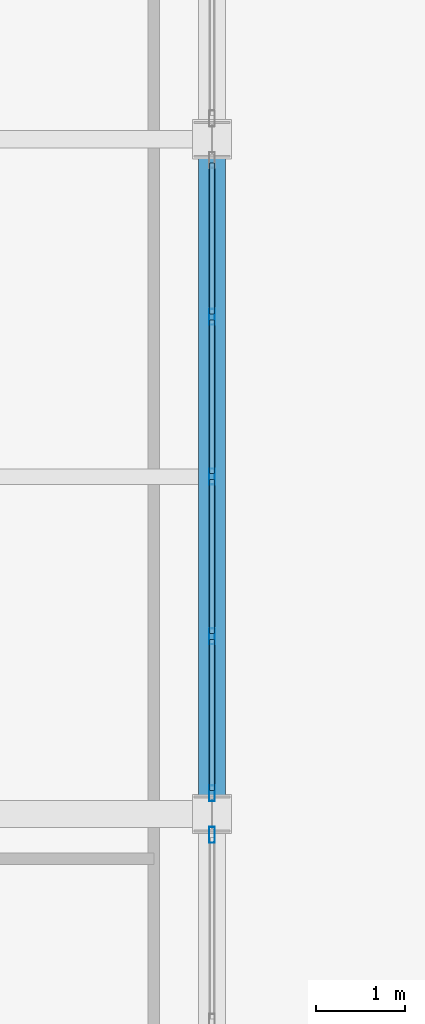
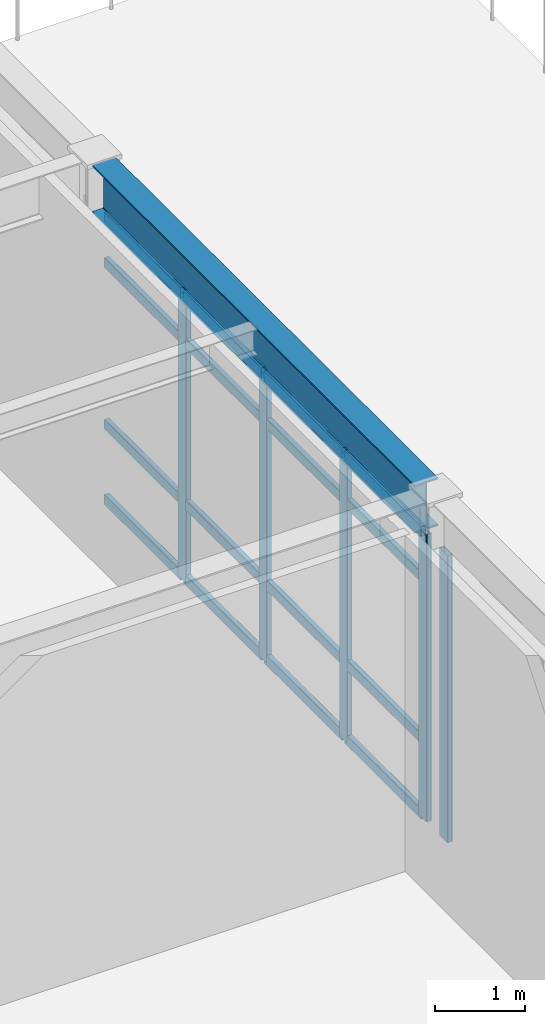
# One storey, part 40 of 93: 21 members, 1 beam, 2 elements without a shape of their own.
"""IFC4 building model written with IfcOpenShell, lengths in metres."""

from ifc_helpers import new_model, si_unit, direction, frame, origin, origin_2d, place, context, subcontext, project, spatial, hollow_rectangle, i_section, extrude, material, layer, layer_set, material_profile, profile_set, type_object, element, aggregate, save


model = new_model("IFC4")

# Units and contexts
model_context = context("Model", 3, precision=1e-05, world=origin(), true_north=direction((0.0, 1.0)))
body_context = subcontext(model_context, "Body", "Model", "MODEL_VIEW")
ifc_project = project(units=[si_unit("LENGTHUNIT", "METRE"), si_unit("AREAUNIT", "SQUARE_METRE"), si_unit("VOLUMEUNIT", "CUBIC_METRE"), si_unit("PLANEANGLEUNIT", "RADIAN"), si_unit("MASSUNIT", "GRAM", prefix="KILO")], contexts=[model_context])

# Site, building, storey
site_placement = place(None, origin())
site = spatial("IfcSite", under=ifc_project, at=site_placement, CompositionType="ELEMENT")
building_placement = place(site_placement, origin())
building = spatial("IfcBuilding", under=site, at=building_placement, Name="Kazehara Bluff Congress Hotel", CompositionType="ELEMENT")
storey_placement = place(building_placement, frame((0.0, 0.0, 15.0)))
storey = spatial("IfcBuildingStorey", under=building, at=storey_placement, Name="L03", CompositionType="ELEMENT", Elevation=15.0)

# Curtain wall, member
ifc_material_1 = material(Name="Anodised aluminium", Category="aluminium")
ifc_layer_1 = layer(ifc_material_1, 0.159912109375)
ifc_layer_set_1 = layer_set([ifc_layer_1], Name="Anodised aluminium")
curtain_wall_type_1 = type_object("IfcCurtainWallType", Name="TP-CW-61", PredefinedType="NOTDEFINED", material=ifc_layer_set_1)
curtain_wall_1_placement = place(storey_placement, origin())
curtain_wall_1 = element("IfcCurtainWall", 1, at=curtain_wall_1_placement, inside=storey, type_object=curtain_wall_type_1, Name="L03 curtain wall CW-61 CW-V4-L03-X10125-3220", PredefinedType="NOTDEFINED")
ifc_material_2 = material(Name="Anodised aluminium", Category="aluminium")
ifc_material_profile_1 = material_profile(ifc_material_2, hollow_rectangle(XDim=0.06494140625, YDim=0.179931640625, WallThickness=0.00390625, InnerFilletRadius=0.00390625, OuterFilletRadius=0.008056640625, at=origin_2d()))
ifc_profile_set_1 = profile_set([ifc_material_profile_1], Name="Anodised aluminium")
member_type_1 = type_object("IfcMemberType", Name="TP-CWM-02", PredefinedType="MULLION", material=ifc_profile_set_1)
member_1_placement = place(storey_placement, frame((101.25, 40.66748046875, 0.0), z_axis=(0.0, 0.0, 1.0), x_axis=(-1.0, 0.0, 0.0)))
member_1 = element("IfcMember", 2, at=member_1_placement, type_object=member_type_1, Name="CW-61 mullion 5", PredefinedType="MULLION", context=body_context, shape_type="SweptSolid", body=[
    extrude(hollow_rectangle(XDim=0.06494140625, YDim=0.179931640625, WallThickness=0.00390625, InnerFilletRadius=0.00390625, OuterFilletRadius=0.008056640625, at=origin_2d()), origin(), (0.0, 0.0, 1.0), 3.885009765625),
])
aggregate(curtain_wall_1, [member_1])

# Curtain wall, members
ifc_material_3 = material(Name="Anodised aluminium", Category="aluminium")
ifc_layer_2 = layer(ifc_material_3, 0.159912109375)
ifc_layer_set_2 = layer_set([ifc_layer_2], Name="Anodised aluminium")
curtain_wall_type_2 = type_object("IfcCurtainWallType", Name="TP-CW-62", PredefinedType="NOTDEFINED", material=ifc_layer_set_2)
curtain_wall_2_placement = place(storey_placement, origin())
curtain_wall_2 = element("IfcCurtainWall", 3, at=curtain_wall_2_placement, inside=storey, type_object=curtain_wall_type_2, Name="L03 curtain wall CW-62 CW-V4-L03-X10125-4110", PredefinedType="NOTDEFINED")
member_2_placement = place(storey_placement, frame((101.25, 41.132568359375, 0.0), z_axis=(0.0, 0.0, 1.0), x_axis=(-1.0, 0.0, 0.0)))
member_2 = element("IfcMember", 4, at=member_2_placement, type_object=member_type_1, Name="CW-62 mullion 1", PredefinedType="MULLION", context=body_context, shape_type="SweptSolid", body=[
    extrude(hollow_rectangle(XDim=0.06494140625, YDim=0.179931640625, WallThickness=0.00390625, InnerFilletRadius=0.00390625, OuterFilletRadius=0.008056640625, at=origin_2d()), origin(), (0.0, 0.0, 1.0), 3.885009765625),
])
member_3_placement = place(storey_placement, frame((101.25, 42.887451171875, 0.0), z_axis=(0.0, 0.0, 1.0), x_axis=(-1.0, 0.0, 0.0)))
member_3 = element("IfcMember", 5, at=member_3_placement, type_object=member_type_1, Name="CW-62 mullion 2", PredefinedType="MULLION", context=body_context, shape_type="SweptSolid", body=[
    extrude(hollow_rectangle(XDim=0.06494140625, YDim=0.179931640625, WallThickness=0.00390625, InnerFilletRadius=0.00390625, OuterFilletRadius=0.008056640625, at=origin_2d()), origin(), (0.0, 0.0, 1.0), 3.885009765625),
])
member_4_placement = place(storey_placement, frame((101.25, 44.675048828125, 0.0), z_axis=(0.0, 0.0, 1.0), x_axis=(-1.0, 0.0, 0.0)))
member_4 = element("IfcMember", 6, at=member_4_placement, type_object=member_type_1, Name="CW-62 mullion 3", PredefinedType="MULLION", context=body_context, shape_type="SweptSolid", body=[
    extrude(hollow_rectangle(XDim=0.06494140625, YDim=0.179931640625, WallThickness=0.00390625, InnerFilletRadius=0.00390625, OuterFilletRadius=0.008056640625, at=origin_2d()), origin(), (0.0, 0.0, 1.0), 3.885009765625),
])
member_5_placement = place(storey_placement, frame((101.25, 46.46240234375, 0.0), z_axis=(0.0, 0.0, 1.0), x_axis=(-1.0, 0.0, 0.0)))
member_5 = element("IfcMember", 7, at=member_5_placement, type_object=member_type_1, Name="CW-62 mullion 4", PredefinedType="MULLION", context=body_context, shape_type="SweptSolid", body=[
    extrude(hollow_rectangle(XDim=0.06494140625, YDim=0.179931640625, WallThickness=0.00390625, InnerFilletRadius=0.00390625, OuterFilletRadius=0.008056640625, at=origin_2d()), origin(), (0.0, 0.0, 1.0), 3.885009765625),
])
ifc_material_4 = material(Name="Anodised aluminium", Category="aluminium")
ifc_material_profile_2 = material_profile(ifc_material_4, hollow_rectangle(XDim=0.06494140625, YDim=0.139892578125, WallThickness=0.00390625, InnerFilletRadius=0.00390625, OuterFilletRadius=0.008056640625, at=origin_2d()))
ifc_profile_set_2 = profile_set([ifc_material_profile_2], Name="Anodised aluminium")
member_type_2 = type_object("IfcMemberType", Name="TP-CWT-02", PredefinedType="USERDEFINED", material=ifc_profile_set_2)
member_6_placement = place(storey_placement, frame((101.25, 41.1650390625, 0.032470703125), z_axis=(0.0, 1.0, 0.0), x_axis=(-1.0, 0.0, 0.0)))
member_6 = element("IfcMember", 8, at=member_6_placement, type_object=member_type_2, Name="CW-62 transom 1.1", ObjectType="TRANSOM", PredefinedType="USERDEFINED", context=body_context, shape_type="SweptSolid", body=[
    extrude(hollow_rectangle(XDim=0.06494140625, YDim=0.139892578125, WallThickness=0.00390625, InnerFilletRadius=0.00390625, OuterFilletRadius=0.008056640625, at=origin_2d()), origin(), (0.0, 0.0, 1.0), 1.68994140625),
])
member_7_placement = place(storey_placement, frame((101.25, 41.1650390625, 1.050048828125), z_axis=(0.0, 1.0, 0.0), x_axis=(-1.0, 0.0, 0.0)))
member_7 = element("IfcMember", 9, at=member_7_placement, type_object=member_type_2, Name="CW-62 transom 1.2", ObjectType="TRANSOM", PredefinedType="USERDEFINED", context=body_context, shape_type="SweptSolid", body=[
    extrude(hollow_rectangle(XDim=0.06494140625, YDim=0.139892578125, WallThickness=0.00390625, InnerFilletRadius=0.00390625, OuterFilletRadius=0.008056640625, at=origin_2d()), origin(), (0.0, 0.0, 1.0), 1.68994140625),
])
member_8_placement = place(storey_placement, frame((101.25, 41.1650390625, 3.235107421875), z_axis=(0.0, 1.0, 0.0), x_axis=(-1.0, 0.0, 0.0)))
member_8 = element("IfcMember", 10, at=member_8_placement, type_object=member_type_2, Name="CW-62 transom 1.3", ObjectType="TRANSOM", PredefinedType="USERDEFINED", context=body_context, shape_type="SweptSolid", body=[
    extrude(hollow_rectangle(XDim=0.06494140625, YDim=0.139892578125, WallThickness=0.00390625, InnerFilletRadius=0.00390625, OuterFilletRadius=0.008056640625, at=origin_2d()), origin(), (0.0, 0.0, 1.0), 1.68994140625),
])
member_9_placement = place(storey_placement, frame((101.25, 41.1650390625, 3.8525390625), z_axis=(0.0, 1.0, 0.0), x_axis=(-1.0, 0.0, 0.0)))
member_9 = element("IfcMember", 11, at=member_9_placement, type_object=member_type_2, Name="CW-62 transom 1.4", ObjectType="TRANSOM", PredefinedType="USERDEFINED", context=body_context, shape_type="SweptSolid", body=[
    extrude(hollow_rectangle(XDim=0.06494140625, YDim=0.139892578125, WallThickness=0.00390625, InnerFilletRadius=0.00390625, OuterFilletRadius=0.008056640625, at=origin_2d()), origin(), (0.0, 0.0, 1.0), 1.68994140625),
])
member_10_placement = place(storey_placement, frame((101.25, 42.919921875, 0.032470703125), z_axis=(0.0, 1.0, 0.0), x_axis=(-1.0, 0.0, 0.0)))
member_10 = element("IfcMember", 12, at=member_10_placement, type_object=member_type_2, Name="CW-62 transom 2.1", ObjectType="TRANSOM", PredefinedType="USERDEFINED", context=body_context, shape_type="SweptSolid", body=[
    extrude(hollow_rectangle(XDim=0.06494140625, YDim=0.139892578125, WallThickness=0.00390625, InnerFilletRadius=0.00390625, OuterFilletRadius=0.008056640625, at=origin_2d()), origin(), (0.0, 0.0, 1.0), 1.72265625),
])
member_11_placement = place(storey_placement, frame((101.25, 42.919921875, 1.050048828125), z_axis=(0.0, 1.0, 0.0), x_axis=(-1.0, 0.0, 0.0)))
member_11 = element("IfcMember", 13, at=member_11_placement, type_object=member_type_2, Name="CW-62 transom 2.2", ObjectType="TRANSOM", PredefinedType="USERDEFINED", context=body_context, shape_type="SweptSolid", body=[
    extrude(hollow_rectangle(XDim=0.06494140625, YDim=0.139892578125, WallThickness=0.00390625, InnerFilletRadius=0.00390625, OuterFilletRadius=0.008056640625, at=origin_2d()), origin(), (0.0, 0.0, 1.0), 1.72265625),
])
member_12_placement = place(storey_placement, frame((101.25, 42.919921875, 3.235107421875), z_axis=(0.0, 1.0, 0.0), x_axis=(-1.0, 0.0, 0.0)))
member_12 = element("IfcMember", 14, at=member_12_placement, type_object=member_type_2, Name="CW-62 transom 2.3", ObjectType="TRANSOM", PredefinedType="USERDEFINED", context=body_context, shape_type="SweptSolid", body=[
    extrude(hollow_rectangle(XDim=0.06494140625, YDim=0.139892578125, WallThickness=0.00390625, InnerFilletRadius=0.00390625, OuterFilletRadius=0.008056640625, at=origin_2d()), origin(), (0.0, 0.0, 1.0), 1.72265625),
])
member_13_placement = place(storey_placement, frame((101.25, 42.919921875, 3.8525390625), z_axis=(0.0, 1.0, 0.0), x_axis=(-1.0, 0.0, 0.0)))
member_13 = element("IfcMember", 15, at=member_13_placement, type_object=member_type_2, Name="CW-62 transom 2.4", ObjectType="TRANSOM", PredefinedType="USERDEFINED", context=body_context, shape_type="SweptSolid", body=[
    extrude(hollow_rectangle(XDim=0.06494140625, YDim=0.139892578125, WallThickness=0.00390625, InnerFilletRadius=0.00390625, OuterFilletRadius=0.008056640625, at=origin_2d()), origin(), (0.0, 0.0, 1.0), 1.72265625),
])
member_14_placement = place(storey_placement, frame((101.25, 44.70751953125, 0.032470703125), z_axis=(0.0, 1.0, 0.0), x_axis=(-1.0, 0.0, 0.0)))
member_14 = element("IfcMember", 16, at=member_14_placement, type_object=member_type_2, Name="CW-62 transom 3.1", ObjectType="TRANSOM", PredefinedType="USERDEFINED", context=body_context, shape_type="SweptSolid", body=[
    extrude(hollow_rectangle(XDim=0.06494140625, YDim=0.139892578125, WallThickness=0.00390625, InnerFilletRadius=0.00390625, OuterFilletRadius=0.008056640625, at=origin_2d()), origin(), (0.0, 0.0, 1.0), 1.722412109375),
])
member_15_placement = place(storey_placement, frame((101.25, 44.70751953125, 1.050048828125), z_axis=(0.0, 1.0, 0.0), x_axis=(-1.0, 0.0, 0.0)))
member_15 = element("IfcMember", 17, at=member_15_placement, type_object=member_type_2, Name="CW-62 transom 3.2", ObjectType="TRANSOM", PredefinedType="USERDEFINED", context=body_context, shape_type="SweptSolid", body=[
    extrude(hollow_rectangle(XDim=0.06494140625, YDim=0.139892578125, WallThickness=0.00390625, InnerFilletRadius=0.00390625, OuterFilletRadius=0.008056640625, at=origin_2d()), origin(), (0.0, 0.0, 1.0), 1.722412109375),
])
member_16_placement = place(storey_placement, frame((101.25, 44.70751953125, 3.235107421875), z_axis=(0.0, 1.0, 0.0), x_axis=(-1.0, 0.0, 0.0)))
member_16 = element("IfcMember", 18, at=member_16_placement, type_object=member_type_2, Name="CW-62 transom 3.3", ObjectType="TRANSOM", PredefinedType="USERDEFINED", context=body_context, shape_type="SweptSolid", body=[
    extrude(hollow_rectangle(XDim=0.06494140625, YDim=0.139892578125, WallThickness=0.00390625, InnerFilletRadius=0.00390625, OuterFilletRadius=0.008056640625, at=origin_2d()), origin(), (0.0, 0.0, 1.0), 1.722412109375),
])
member_17_placement = place(storey_placement, frame((101.25, 44.70751953125, 3.8525390625), z_axis=(0.0, 1.0, 0.0), x_axis=(-1.0, 0.0, 0.0)))
member_17 = element("IfcMember", 19, at=member_17_placement, type_object=member_type_2, Name="CW-62 transom 3.4", ObjectType="TRANSOM", PredefinedType="USERDEFINED", context=body_context, shape_type="SweptSolid", body=[
    extrude(hollow_rectangle(XDim=0.06494140625, YDim=0.139892578125, WallThickness=0.00390625, InnerFilletRadius=0.00390625, OuterFilletRadius=0.008056640625, at=origin_2d()), origin(), (0.0, 0.0, 1.0), 1.722412109375),
])
member_18_placement = place(storey_placement, frame((101.25, 46.4951171875, 0.032470703125), z_axis=(0.0, 1.0, 0.0), x_axis=(-1.0, 0.0, 0.0)))
member_18 = element("IfcMember", 20, at=member_18_placement, type_object=member_type_2, Name="CW-62 transom 4.1", ObjectType="TRANSOM", PredefinedType="USERDEFINED", context=body_context, shape_type="SweptSolid", body=[
    extrude(hollow_rectangle(XDim=0.06494140625, YDim=0.139892578125, WallThickness=0.00390625, InnerFilletRadius=0.00390625, OuterFilletRadius=0.008056640625, at=origin_2d()), origin(), (0.0, 0.0, 1.0), 1.68994140625),
])
member_19_placement = place(storey_placement, frame((101.25, 46.4951171875, 1.050048828125), z_axis=(0.0, 1.0, 0.0), x_axis=(-1.0, 0.0, 0.0)))
member_19 = element("IfcMember", 21, at=member_19_placement, type_object=member_type_2, Name="CW-62 transom 4.2", ObjectType="TRANSOM", PredefinedType="USERDEFINED", context=body_context, shape_type="SweptSolid", body=[
    extrude(hollow_rectangle(XDim=0.06494140625, YDim=0.139892578125, WallThickness=0.00390625, InnerFilletRadius=0.00390625, OuterFilletRadius=0.008056640625, at=origin_2d()), origin(), (0.0, 0.0, 1.0), 1.68994140625),
])
member_20_placement = place(storey_placement, frame((101.25, 46.4951171875, 3.235107421875), z_axis=(0.0, 1.0, 0.0), x_axis=(-1.0, 0.0, 0.0)))
member_20 = element("IfcMember", 22, at=member_20_placement, type_object=member_type_2, Name="CW-62 transom 4.3", ObjectType="TRANSOM", PredefinedType="USERDEFINED", context=body_context, shape_type="SweptSolid", body=[
    extrude(hollow_rectangle(XDim=0.06494140625, YDim=0.139892578125, WallThickness=0.00390625, InnerFilletRadius=0.00390625, OuterFilletRadius=0.008056640625, at=origin_2d()), origin(), (0.0, 0.0, 1.0), 1.68994140625),
])
member_21_placement = place(storey_placement, frame((101.25, 46.4951171875, 3.8525390625), z_axis=(0.0, 1.0, 0.0), x_axis=(-1.0, 0.0, 0.0)))
member_21 = element("IfcMember", 23, at=member_21_placement, type_object=member_type_2, Name="CW-62 transom 4.4", ObjectType="TRANSOM", PredefinedType="USERDEFINED", context=body_context, shape_type="SweptSolid", body=[
    extrude(hollow_rectangle(XDim=0.06494140625, YDim=0.139892578125, WallThickness=0.00390625, InnerFilletRadius=0.00390625, OuterFilletRadius=0.008056640625, at=origin_2d()), origin(), (0.0, 0.0, 1.0), 1.68994140625),
])
aggregate(curtain_wall_2, [member_2, member_3, member_4, member_5, member_6, member_7, member_8, member_9, member_10, member_11, member_12, member_13, member_14, member_15, member_16, member_17, member_18, member_19, member_20, member_21])

# Beam
ifc_material_5 = material(Name="Steel SN490B", Category="steel")
ifc_material_profile_3 = material_profile(ifc_material_5, i_section(OverallWidth=0.300048828125, OverallDepth=0.64990234375, WebThickness=0.011962890625, FlangeThickness=0.02001953125, FilletRadius=0.012939453125, at=origin_2d()))
ifc_profile_set_3 = profile_set([ifc_material_profile_3], Name="Steel SN490B")
beam_type = type_object("IfcBeamType", Name="TP-G-03", PredefinedType="BEAM", material=ifc_profile_set_3)
beam_placement = place(storey_placement, frame((101.25, 41.10009765625, 4.235107421875), z_axis=(0.0, 1.0, 0.0), x_axis=(-1.0, 0.0, 0.0)))
element("IfcBeam", 24, at=beam_placement, inside=storey, type_object=beam_type, Name="L03 girder G-03 69", PredefinedType="BEAM", context=body_context, shape_type="SweptSolid", body=[
    extrude(i_section(OverallWidth=0.300048828125, OverallDepth=0.64990234375, WebThickness=0.011962890625, FlangeThickness=0.02001953125, FilletRadius=0.012939453125, at=origin_2d()), origin(), (0.0, 0.0, 1.0), 7.14990234375),
])

save(model, "model.ifc")
